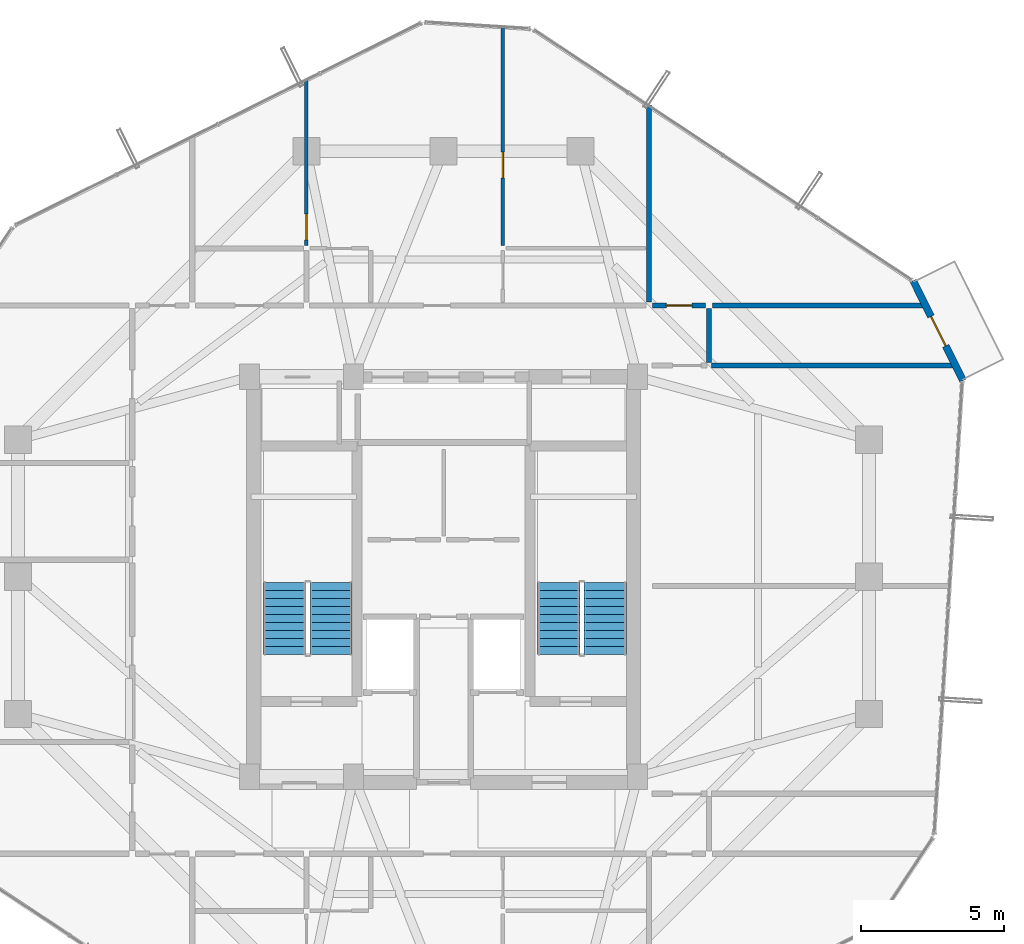
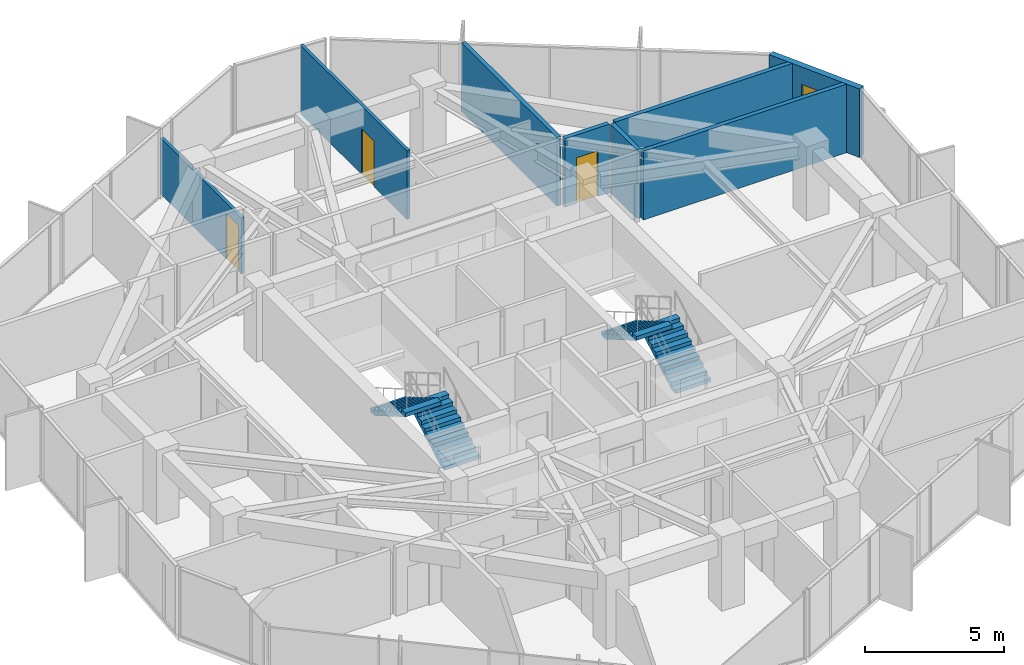
# One storey, part 27 of 29: 8 walls, 4 doors, 4 stair flights, 4 openings, 2 elements without a shape of their own.
"""IFC4 building model written with IfcOpenShell, lengths in metres."""

from ifc_helpers import new_model, si_unit, direction, frame, frame_2d, origin, place, context, subcontext, project, spatial, polyline, rectangle, outline, extrude, source, transform, mapped, material, layer, layer_set, type_object, element, fill, aggregate, save


model = new_model("IFC4")

# Units and contexts
model_context = context("Model", 3, precision=1e-05, world=origin(), true_north=direction((0.0, 1.0)))
body_context = subcontext(model_context, "Body", "Model", "MODEL_VIEW")
ifc_project = project(units=[si_unit("LENGTHUNIT", "METRE"), si_unit("AREAUNIT", "SQUARE_METRE"), si_unit("VOLUMEUNIT", "CUBIC_METRE"), si_unit("PLANEANGLEUNIT", "RADIAN"), si_unit("MASSUNIT", "GRAM", prefix="KILO")], contexts=[model_context])

# Site, building, storey
site_placement = place(None, origin())
site = spatial("IfcSite", under=ifc_project, at=site_placement, CompositionType="ELEMENT")
building_placement = place(site_placement, origin())
building = spatial("IfcBuilding", under=site, at=building_placement, Name="Veraguas Prism Commons", CompositionType="ELEMENT")
storey_placement = place(building_placement, frame((0.0, 0.0, 218.89990234375)))
storey = spatial("IfcBuildingStorey", under=building, at=storey_placement, Name="L62", CompositionType="ELEMENT", Elevation=218.89990234375)

# Walls
ifc_material_1 = material(Name="Autoclaved aerated masonry block 10 MPa", Category="masonry")
ifc_layer_1 = layer(ifc_material_1, 0.179931640625, Name="Corridor and Inter-Tenancy Partition 180", Category="masonry")
ifc_layer_set_1 = layer_set([ifc_layer_1], Name="Autoclaved aerated masonry block 10 MPa")
wall_type_1 = type_object("IfcWallType", Name="Corridor and Inter-Tenancy Partition 180", PredefinedType="PARTITIONING", material=ifc_layer_set_1)
wall_1_placement = place(storey_placement, frame((31.199951171875, 33.6201171875, 0.0), z_axis=(0.0, 0.0, 1.0), x_axis=(0.0, 1.0, 0.0)))
element("IfcWall", 1, at=wall_1_placement, inside=storey, type_object=wall_type_1, Name="WL-L62-PT014", PredefinedType="PARTITIONING", context=body_context, shape_type="SweptSolid", body=[
    extrude(rectangle(XDim=6.89111328125, YDim=0.179931640625, at=frame_2d((3.445556640625, 0.0))), origin(), (0.0, 0.0, 1.0), 3.01513671875),
])
wall_2_placement = place(storey_placement, frame((33.300048828125, 31.5, 0.0), z_axis=(0.0, 0.0, 1.0), x_axis=(0.0, 1.0, 0.0)))
element("IfcWall", 2, at=wall_2_placement, inside=storey, type_object=wall_type_1, Name="WL-L62-PT036", PredefinedType="PARTITIONING", context=body_context, shape_type="SweptSolid", body=[
    extrude(rectangle(XDim=1.89990234375, YDim=0.179931640625, at=frame_2d((0.949951171875, 0.0))), origin(), (0.0, 0.0, 1.0), 3.01513671875),
])
wall_3_placement = place(storey_placement, frame((33.3798828125, 31.39990234375, 0.0), z_axis=(0.0, 0.0, 1.0), x_axis=(1.0, 0.0, 0.0)))
element("IfcWall", 3, at=wall_3_placement, inside=storey, type_object=wall_type_1, Name="WL-L62-PT040", PredefinedType="PARTITIONING", context=body_context, shape_type="SweptSolid", body=[
    extrude(rectangle(XDim=8.576904296875, YDim=0.179931640625, at=frame_2d((4.28857421875, 0.0))), origin(), (0.0, 0.0, 1.0), 3.01513671875),
])
wall_4_placement = place(storey_placement, frame((33.419921875, 33.5, 0.0), z_axis=(0.0, 0.0, 1.0), x_axis=(1.0, 0.0, 0.0)))
element("IfcWall", 4, at=wall_4_placement, inside=storey, type_object=wall_type_1, Name="WL-L62-PT046", PredefinedType="PARTITIONING", context=body_context, shape_type="SweptSolid", body=[
    extrude(rectangle(XDim=7.491943359375, YDim=0.179931640625, at=frame_2d((3.74609375, 0.0))), origin(), (0.0, 0.0, 1.0), 3.01513671875),
])

# Wall, opening, door
wall_5_placement = place(storey_placement, frame((31.320068359375, 33.5, 0.0), z_axis=(0.0, 0.0, 1.0), x_axis=(1.0, 0.0, 0.0)))
wall_5 = element("IfcWall", 5, at=wall_5_placement, inside=storey, type_object=wall_type_1, Name="WL-L62-PT047", PredefinedType="PARTITIONING", context=body_context, shape_type="SweptSolid", body=[
    extrude(rectangle(XDim=1.85986328125, YDim=0.179931640625, at=frame_2d((0.929931640625, 0.0))), origin(), (0.0, 0.0, 1.0), 3.01513671875),
])
opening_1_placement = place(wall_5_placement, frame((0.47998046875, 0.0, 0.0)))
opening_1 = element("IfcOpeningElement", 6, at=opening_1_placement, cuts=wall_5, Name="Opening DR-14", PredefinedType="OPENING", context=body_context, shape_type="SweptSolid", body=[
    extrude(rectangle(XDim=0.89990234375, YDim=2.010009765625, at=frame_2d((0.449951171875, 1.0048828125))), frame((0.0, 0.099853515625, 0.0), z_axis=(0.0, -1.0, 0.0), x_axis=(1.0, 0.0, 0.0)), (0.0, 0.0, 1.0), 0.199951171875),
])
ifc_material_2 = material(Name="Steel fire-rated door assembly", Category="steel")
door_type_1 = type_object("IfcDoorType", Name="Core Service Room Fire Door 900x2010", OperationType="NOTDEFINED", PredefinedType="DOOR", material=ifc_material_2)
shared_shape_1 = source(origin(), body_context, "Body", "SweptSolid", [
    extrude(rectangle(XDim=0.89990234375, YDim=2.010009765625, at=frame_2d((0.449951171875, 1.0048828125))), frame((0.0, 0.02490234375, 0.0), z_axis=(0.0, -1.0, 0.0), x_axis=(1.0, 0.0, 0.0)), (0.0, 0.0, 1.0), 0.050048828125),
])
door_1_placement = place(opening_1_placement, origin())
door_1 = element("IfcDoor", 7, at=door_1_placement, inside=storey, type_object=door_type_1, Name="Residents Cycle and Pram Store NE Door", OperationType="SINGLE_SWING_RIGHT", OverallHeight=2.010009765625, OverallWidth=0.89990234375, PredefinedType="DOOR", context=body_context, shape_type="MappedRepresentation", body=[
    mapped(shared_shape_1, transform((0.0, 0.0, 0.0), scale=1.0)),
])
fill(opening_1, door_1)

ifc_material_3 = material(Name="Precast concrete C40/50", Category="concrete")
ifc_layer_2 = layer(ifc_material_3, 0.25, Name="External Loggia and Portal Wall 250", Category="concrete")
ifc_layer_set_2 = layer_set([ifc_layer_2], Name="Precast concrete C40/50")
wall_type_2 = type_object("IfcWallType", Name="External Loggia and Portal Wall 250", PredefinedType="SOLIDWALL", material=ifc_layer_set_2)
wall_6_placement = place(storey_placement, frame((42.18896484375, 30.86669921875, 0.0), z_axis=(0.0, 0.0, 1.0), x_axis=(-0.445591168043, 0.895236567038, 0.0)))
wall_6 = element("IfcWall", 8, at=wall_6_placement, inside=storey, type_object=wall_type_2, Name="Corner Loggia Wall L62-C1", PredefinedType="SOLIDWALL", context=body_context, shape_type="SweptSolid", body=[
    extrude(rectangle(XDim=3.914306640625, YDim=0.25, at=frame_2d((1.95703125, 0.0))), origin(), (0.0, 0.0, 1.0), 3.01513671875),
])
opening_2_placement = place(wall_6_placement, frame((1.360107421875, 0.0, 0.0)))
opening_2 = element("IfcOpeningElement", 9, at=opening_2_placement, cuts=wall_6, Name="Opening DR-10", PredefinedType="OPENING", context=body_context, shape_type="SweptSolid", body=[
    extrude(rectangle(XDim=1.14990234375, YDim=2.25, at=frame_2d((0.574951171875, 1.125))), frame((0.0, 0.135009765625, 0.0), z_axis=(0.0, -1.0, 0.0), x_axis=(1.0, 0.0, 0.0)), (0.0, 0.0, 1.0), 0.27001953125),
])
ifc_material_4 = material(Name="Anodised aluminium EN AW-6063 T6", Category="aluminium")
door_type_2 = type_object("IfcDoorType", Name="Glazed Loggia and Terrace Door 1150x2250", OperationType="NOTDEFINED", PredefinedType="DOOR", material=ifc_material_4)
shared_shape_2 = source(origin(), body_context, "Body", "SweptSolid", [
    extrude(rectangle(XDim=1.14990234375, YDim=2.25, at=frame_2d((0.574951171875, 1.125))), frame((0.0, 0.02490234375, 0.0), z_axis=(0.0, -1.0, 0.0), x_axis=(1.0, 0.0, 0.0)), (0.0, 0.0, 1.0), 0.050048828125),
])
door_2_placement = place(opening_2_placement, frame((1.14990234375, 0.0, 0.0), z_axis=(0.0, 0.0, 1.0), x_axis=(-1.0, 0.0, 0.0)))
door_2 = element("IfcDoor", 10, at=door_2_placement, inside=storey, type_object=door_type_2, Name="Recessed Loggia Door L62-C1", OperationType="SINGLE_SWING_RIGHT", OverallHeight=2.25, OverallWidth=1.14990234375, PredefinedType="DOOR", context=body_context, shape_type="MappedRepresentation", body=[
    mapped(shared_shape_2, transform((0.0, 0.0, 0.0), scale=1.0)),
])
fill(opening_2, door_2)

ifc_material_5 = material(Name="Lightweight acoustic gypsum board")
ifc_layer_3 = layer(ifc_material_5, 0.125, Name="Internal Apartment Room Partition 125")
ifc_layer_set_3 = layer_set([ifc_layer_3], Name="Lightweight acoustic gypsum board")
wall_type_3 = type_object("IfcWallType", Name="Internal Apartment Room Partition 125", PredefinedType="PARTITIONING", material=ifc_layer_set_3)
wall_7_placement = place(storey_placement, frame((19.199951171875, 35.60009765625, 0.0), z_axis=(0.0, 0.0, 1.0), x_axis=(0.0, 1.0, 0.0)))
wall_7 = element("IfcWall", 11, at=wall_7_placement, inside=storey, type_object=wall_type_3, Name="WL-L62-PT019", PredefinedType="PARTITIONING", context=body_context, shape_type="SweptSolid", body=[
    extrude(rectangle(XDim=5.826904296875, YDim=0.125, at=frame_2d((2.91357421875, 0.0))), origin(), (0.0, 0.0, 1.0), 2.468994140625),
])
opening_3_placement = place(wall_7_placement, frame((0.199951171875, 0.0, 0.0)))
opening_3 = element("IfcOpeningElement", 12, at=opening_3_placement, cuts=wall_7, Name="Opening DR-02", PredefinedType="OPENING", context=body_context, shape_type="SweptSolid", body=[
    extrude(rectangle(XDim=0.89990234375, YDim=2.010009765625, at=frame_2d((0.449951171875, 1.0048828125))), frame((0.0, 0.072509765625, 0.0), z_axis=(0.0, -1.0, 0.0), x_axis=(1.0, 0.0, 0.0)), (0.0, 0.0, 1.0), 0.14501953125),
])
ifc_material_6 = material(Name="Timber solid core hardwood", Category="wood")
door_type_3 = type_object("IfcDoorType", Name="Internal Habitable Room Door 900x2010", OperationType="NOTDEFINED", PredefinedType="DOOR", material=ifc_material_6)
door_3_placement = place(opening_3_placement, origin())
door_3 = element("IfcDoor", 13, at=door_3_placement, inside=storey, type_object=door_type_3, Name="Flat 62B Bedroom 2 Door", OperationType="SINGLE_SWING_RIGHT", OverallHeight=2.010009765625, OverallWidth=0.89990234375, PredefinedType="DOOR", context=body_context, shape_type="MappedRepresentation", body=[
    mapped(shared_shape_1, transform((0.0, 0.0, 0.0), scale=1.0)),
])
fill(opening_3, door_3)

wall_8_placement = place(storey_placement, frame((26.080078125, 35.60009765625, 0.0), z_axis=(0.0, 0.0, 1.0), x_axis=(0.0, 1.0, 0.0)))
wall_8 = element("IfcWall", 14, at=wall_8_placement, inside=storey, type_object=wall_type_3, Name="WL-L62-PT024", PredefinedType="PARTITIONING", context=body_context, shape_type="SweptSolid", body=[
    extrude(rectangle(XDim=7.681396484375, YDim=0.125, at=frame_2d((3.8408203125, 0.0))), origin(), (0.0, 0.0, 1.0), 3.01513671875),
])
opening_4_placement = place(wall_8_placement, frame((2.36962890625, 0.0, 0.0)))
opening_4 = element("IfcOpeningElement", 15, at=opening_4_placement, cuts=wall_8, Name="Opening DR-02", PredefinedType="OPENING", context=body_context, shape_type="SweptSolid", body=[
    extrude(rectangle(XDim=0.89990234375, YDim=2.010009765625, at=frame_2d((0.449951171875, 1.0048828125))), frame((0.0, 0.072509765625, 0.0), z_axis=(0.0, -1.0, 0.0), x_axis=(1.0, 0.0, 0.0)), (0.0, 0.0, 1.0), 0.14501953125),
])
door_4_placement = place(opening_4_placement, origin())
door_4 = element("IfcDoor", 16, at=door_4_placement, inside=storey, type_object=door_type_3, Name="Flat 62B Bedroom 1 Door", OperationType="SINGLE_SWING_LEFT", OverallHeight=2.010009765625, OverallWidth=0.89990234375, PredefinedType="DOOR", context=body_context, shape_type="MappedRepresentation", body=[
    mapped(shared_shape_1, transform((0.0, 0.0, 0.0), scale=1.0)),
])
fill(opening_4, door_4)

# Stair, stair flights
ifc_material_7 = material(Name="Precast concrete C45/55", Category="concrete")
stair_type = type_object("IfcStairType", Name="Dogleg Core Stair 1480W 20R 05", PredefinedType="HALF_TURN_STAIR", material=ifc_material_7)
stair_1_placement = place(storey_placement, origin())
stair_1 = element("IfcStair", 17, at=stair_1_placement, inside=storey, type_object=stair_type, Name="Protected Exit Stair ST-01 L62", PredefinedType="HALF_TURN_STAIR")
stair_flight_type = type_object("IfcStairFlightType", Name="Precast Stair Flight 1480W 10R 05", PredefinedType="STRAIGHT", material=ifc_material_7)
stair_flight_1_placement = place(storey_placement, frame((20.06005859375, 21.280029296875, 0.0), z_axis=(0.0, 0.0, 1.0), x_axis=(0.0, 1.0, 0.0)))
stair_flight_1 = element("IfcStairFlight", 18, at=stair_flight_1_placement, type_object=stair_flight_type, Name="ST-05 Flight 1", NumberOfRisers=10, NumberOfTreads=9, PredefinedType="STRAIGHT", RiserHeight=0.1625, TreadLength=0.28, context=body_context, shape_type="SweptSolid", body=[
    extrude(outline(polyline([(0.0, 0.0), (0.0, 0.16259765625), (0.280029296875, 0.16259765625), (0.280029296875, 0.324951171875), (0.56005859375, 0.324951171875), (0.56005859375, 0.487548828125), (0.840087890625, 0.487548828125), (0.840087890625, 0.64990234375), (1.1201171875, 0.64990234375), (1.1201171875, 0.8125), (1.39990234375, 0.8125), (1.39990234375, 0.97509765625), (1.679931640625, 0.97509765625), (1.679931640625, 1.137451171875), (1.9599609375, 1.137451171875), (1.9599609375, 1.300048828125), (2.239990234375, 1.300048828125), (2.239990234375, 1.46240234375), (2.52001953125, 1.46240234375), (2.52001953125, 1.625), (2.52001953125, 1.2890625), (0.298583984375, 0.0), (0.0, 0.0)])), frame((0.0, 0.739990234375, 0.0), z_axis=(0.0, -1.0, 0.0), x_axis=(1.0, 0.0, 0.0)), (0.0, 0.0, 1.0), 1.47998046875),
])
stair_flight_2_placement = place(storey_placement, frame((18.429931640625, 23.800048828125, 1.625), z_axis=(0.0, 0.0, 1.0), x_axis=(0.0, -1.0, 0.0)))
stair_flight_2 = element("IfcStairFlight", 19, at=stair_flight_2_placement, type_object=stair_flight_type, Name="ST-05 Flight 2", NumberOfRisers=10, NumberOfTreads=9, PredefinedType="STRAIGHT", RiserHeight=0.1625, TreadLength=0.28, context=body_context, shape_type="SweptSolid", body=[
    extrude(outline(polyline([(0.0, 0.0), (0.0, 0.16259765625), (0.280029296875, 0.16259765625), (0.280029296875, 0.324951171875), (0.56005859375, 0.324951171875), (0.56005859375, 0.487548828125), (0.840087890625, 0.487548828125), (0.840087890625, 0.64990234375), (1.1201171875, 0.64990234375), (1.1201171875, 0.8125), (1.39990234375, 0.8125), (1.39990234375, 0.97509765625), (1.679931640625, 0.97509765625), (1.679931640625, 1.137451171875), (1.9599609375, 1.137451171875), (1.9599609375, 1.300048828125), (2.239990234375, 1.300048828125), (2.239990234375, 1.46240234375), (2.52001953125, 1.46240234375), (2.52001953125, 1.625), (2.52001953125, 1.2890625), (0.298583984375, 0.0), (0.0, 0.0)])), frame((0.0, 0.739990234375, 0.0), z_axis=(0.0, -1.0, 0.0), x_axis=(1.0, 0.0, 0.0)), (0.0, 0.0, 1.0), 1.47998046875),
])
aggregate(stair_1, [stair_flight_1, stair_flight_2])

stair_2_placement = place(storey_placement, origin())
stair_2 = element("IfcStair", 20, at=stair_2_placement, inside=storey, type_object=stair_type, Name="Protected Exit Stair ST-02 L62", PredefinedType="HALF_TURN_STAIR")
stair_flight_3_placement = place(storey_placement, frame((29.659912109375, 21.280029296875, 0.0), z_axis=(0.0, 0.0, 1.0), x_axis=(0.0, 1.0, 0.0)))
stair_flight_3 = element("IfcStairFlight", 21, at=stair_flight_3_placement, type_object=stair_flight_type, Name="ST-05 Flight 1", NumberOfRisers=10, NumberOfTreads=9, PredefinedType="STRAIGHT", RiserHeight=0.1625, TreadLength=0.28, context=body_context, shape_type="SweptSolid", body=[
    extrude(outline(polyline([(0.0, 0.0), (0.0, 0.16259765625), (0.280029296875, 0.16259765625), (0.280029296875, 0.324951171875), (0.56005859375, 0.324951171875), (0.56005859375, 0.487548828125), (0.840087890625, 0.487548828125), (0.840087890625, 0.64990234375), (1.1201171875, 0.64990234375), (1.1201171875, 0.8125), (1.39990234375, 0.8125), (1.39990234375, 0.97509765625), (1.679931640625, 0.97509765625), (1.679931640625, 1.137451171875), (1.9599609375, 1.137451171875), (1.9599609375, 1.300048828125), (2.239990234375, 1.300048828125), (2.239990234375, 1.46240234375), (2.52001953125, 1.46240234375), (2.52001953125, 1.625), (2.52001953125, 1.2890625), (0.298583984375, 0.0), (0.0, 0.0)])), frame((0.0, 0.739990234375, 0.0), z_axis=(0.0, -1.0, 0.0), x_axis=(1.0, 0.0, 0.0)), (0.0, 0.0, 1.0), 1.47998046875),
])
stair_flight_4_placement = place(storey_placement, frame((28.030029296875, 23.800048828125, 1.625), z_axis=(0.0, 0.0, 1.0), x_axis=(0.0, -1.0, 0.0)))
stair_flight_4 = element("IfcStairFlight", 22, at=stair_flight_4_placement, type_object=stair_flight_type, Name="ST-05 Flight 2", NumberOfRisers=10, NumberOfTreads=9, PredefinedType="STRAIGHT", RiserHeight=0.1625, TreadLength=0.28, context=body_context, shape_type="SweptSolid", body=[
    extrude(outline(polyline([(0.0, 0.0), (0.0, 0.16259765625), (0.280029296875, 0.16259765625), (0.280029296875, 0.324951171875), (0.56005859375, 0.324951171875), (0.56005859375, 0.487548828125), (0.840087890625, 0.487548828125), (0.840087890625, 0.64990234375), (1.1201171875, 0.64990234375), (1.1201171875, 0.8125), (1.39990234375, 0.8125), (1.39990234375, 0.97509765625), (1.679931640625, 0.97509765625), (1.679931640625, 1.137451171875), (1.9599609375, 1.137451171875), (1.9599609375, 1.300048828125), (2.239990234375, 1.300048828125), (2.239990234375, 1.46240234375), (2.52001953125, 1.46240234375), (2.52001953125, 1.625), (2.52001953125, 1.2890625), (0.298583984375, 0.0), (0.0, 0.0)])), frame((0.0, 0.739990234375, 0.0), z_axis=(0.0, -1.0, 0.0), x_axis=(1.0, 0.0, 0.0)), (0.0, 0.0, 1.0), 1.47998046875),
])
aggregate(stair_2, [stair_flight_3, stair_flight_4])

save(model, "model.ifc")
